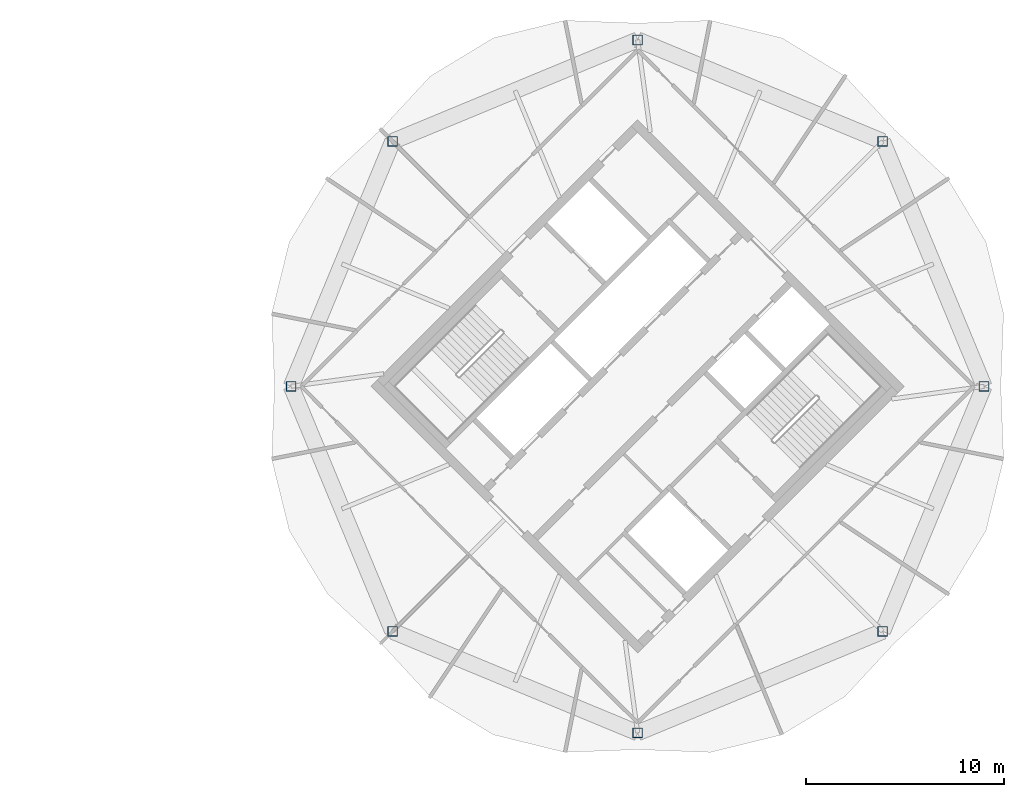
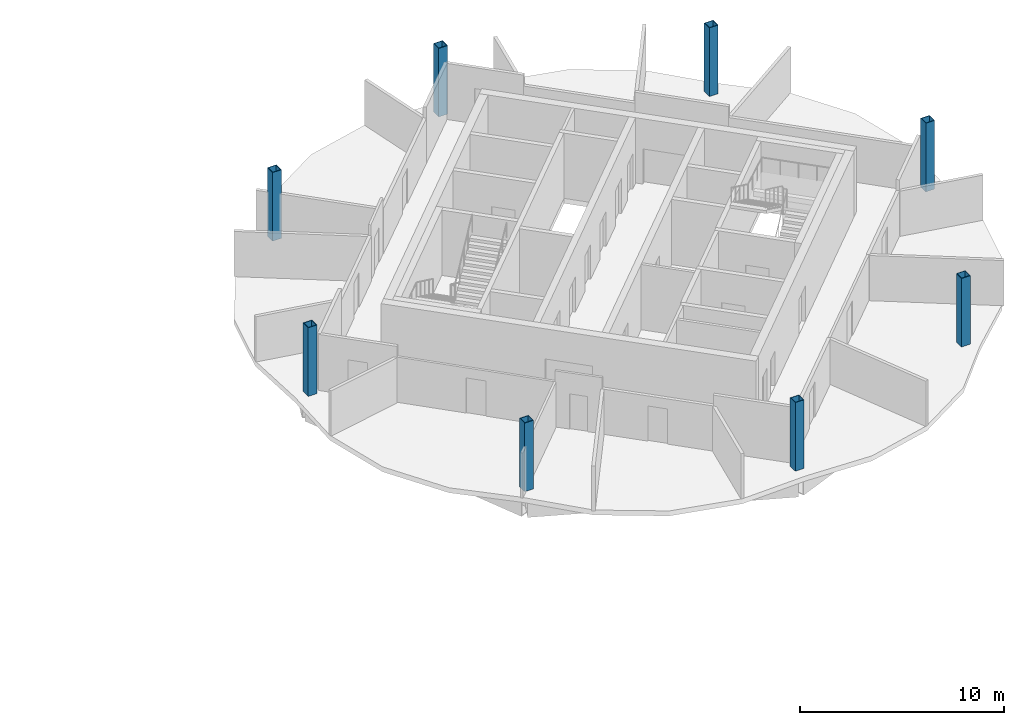
# One storey, part 2 of 11: 8 columns.
"""IFC4 building model written with IfcOpenShell, lengths in metres."""

import ifcopenshell
import ifcopenshell.guid

model = None  # the IFC model being written
_history = None  # IfcOwnerHistory: only IFC2X3 demands one
_inside = {}  # id of a spatial element -> (the spatial element, [elements in it])
_under = {}  # id of a project, library or spatial element -> (it, [spatial elements below it])
_declared = {}  # id of a project -> (the project, [libraries it declares])
_typed = {}  # id of a type object -> (the type object, [elements of that type])
_made_of = {}  # id of a material, layer set ... -> (it, [elements and type objects made of it])


def new_model(schema):
    """Start an empty IFC model of exactly this schema.

    Asked for "IFC4X3", IfcOpenShell would pick the latest addendum, in which some entities
    have other attributes; the version numbers below select the first issue.
    IFC2X3 requires an IfcOwnerHistory on every rooted entity: one is made here for all.
    """
    global model, _history
    if schema == "IFC4X3":
        model = ifcopenshell.file(schema_version=(4, 3, 0, 0))
    else:
        model = ifcopenshell.file(schema=schema)
    _inside.clear()
    _under.clear()
    _declared.clear()
    _typed.clear()
    _made_of.clear()
    _history = None
    if model.schema == "IFC2X3":
        org = make("IfcOrganization", Name="unknown")
        user = make(
            "IfcPersonAndOrganization",
            ThePerson=make("IfcPerson", FamilyName="unknown"),
            TheOrganization=org,
        )
        app = make(
            "IfcApplication",
            ApplicationDeveloper=org,
            Version="unknown",
            ApplicationFullName="unknown",
            ApplicationIdentifier="unknown",
        )
        _history = make(
            "IfcOwnerHistory",
            OwningUser=user,
            OwningApplication=app,
            ChangeAction="ADDED",
            CreationDate=0,
        )
    return model


def make(cls, **values):
    """One entity of the class cls with the attributes given. An attribute that is None is left unset."""
    return model.create_entity(
        cls, **{name: value for name, value in values.items() if value is not None}
    )


def rooted(cls, **values):
    """An entity with a GlobalId (a new one), such as an element, a storey or a relation."""
    return make(cls, GlobalId=ifcopenshell.guid.new(), OwnerHistory=_history, **values)


def si_unit(unit_type, name, prefix=None):
    """IfcSIUnit, for example si_unit("LENGTHUNIT", "METRE", prefix="MILLI")."""
    return make("IfcSIUnit", UnitType=unit_type, Prefix=prefix, Name=name)


def assignment(units):
    """IfcUnitAssignment: the units of a project."""
    return None if units is None else make("IfcUnitAssignment", Units=units)


def point(xyz):
    """IfcCartesianPoint."""
    return None if xyz is None else make("IfcCartesianPoint", Coordinates=xyz)


def direction(xyz):
    """IfcDirection."""
    return None if xyz is None else make("IfcDirection", DirectionRatios=xyz)


def frame(location, z_axis=None, x_axis=None):
    """IfcAxis2Placement3D, a coordinate frame: its origin and axes. An axis left out is left unset."""
    return make(
        "IfcAxis2Placement3D",
        Location=point(location),
        Axis=direction(z_axis),
        RefDirection=direction(x_axis),
    )


def frame_2d(location, x_axis=None):
    """IfcAxis2Placement2D, a coordinate frame in the plane: its origin and x axis."""
    return make(
        "IfcAxis2Placement2D", Location=point(location), RefDirection=direction(x_axis)
    )


def origin():
    """The frame at (0, 0, 0) with its axes left unset."""
    return frame((0.0, 0.0, 0.0))


def origin_2d():
    """The frame at (0, 0) in the plane with its x axis left unset."""
    return frame_2d((0.0, 0.0))


def place(relative_to, where):
    """IfcLocalPlacement: puts the frame where relative to a parent placement (None: the world)."""
    return make(
        "IfcLocalPlacement", PlacementRelTo=relative_to, RelativePlacement=where
    )


def context(
    kind, dimensions, precision=None, world=None, true_north=None, identifier=None
):
    """IfcGeometricRepresentationContext, for example the 3D "Model" context."""
    return make(
        "IfcGeometricRepresentationContext",
        ContextIdentifier=identifier,
        ContextType=kind,
        CoordinateSpaceDimension=dimensions,
        Precision=precision,
        WorldCoordinateSystem=world,
        TrueNorth=true_north,
    )


def subcontext(parent, identifier, kind, view, scale=None):
    """IfcGeometricRepresentationSubContext, for example "Body" below "Model"."""
    return make(
        "IfcGeometricRepresentationSubContext",
        ContextIdentifier=identifier,
        ContextType=kind,
        ParentContext=parent,
        TargetScale=scale,
        TargetView=view,
    )


def project(units=None, contexts=None):
    """IfcProject with its units and contexts."""
    return rooted(
        "IfcProject",
        Name="project",
        RepresentationContexts=contexts,
        UnitsInContext=assignment(units),
    )


def spatial(cls, under=None, at=None, **own):
    """A site, building, storey or space (cls), placed at a placement, below another one or the project."""
    s = rooted(cls, ObjectPlacement=at, **own)
    if under is not None:
        _under.setdefault(under.id(), (under, []))[1].append(s)
    return s


def profile(cls, at=None, kind="AREA", **sizes):
    """A parametric profile (cls). Its sizes go by their IFC names, for example OverallWidth=200.0."""
    return make(cls, ProfileType=kind, Position=at, **sizes)


def hollow_rectangle(**sizes):
    """IfcRectangleHollowProfileDef."""
    return profile("IfcRectangleHollowProfileDef", **sizes)


def extrude(swept, where, along, depth):
    """IfcExtrudedAreaSolid: the profile swept, set in the frame where, extruded along a direction by depth."""
    return make(
        "IfcExtrudedAreaSolid",
        SweptArea=swept,
        Position=where,
        ExtrudedDirection=direction(along),
        Depth=depth,
    )


def shape(context_of_items, identifier, shape_type, items):
    """IfcShapeRepresentation: the items that make up one representation, for example the "Body"."""
    return make(
        "IfcShapeRepresentation",
        ContextOfItems=context_of_items,
        RepresentationIdentifier=identifier,
        RepresentationType=shape_type,
        Items=items,
    )


def material(Name=None, Category=None):
    """IfcMaterial."""
    return make("IfcMaterial", Name=Name, Category=Category)


def material_profile(
    of_material, cross_section, Name=None, Category=None, Priority=None
):
    """IfcMaterialProfile: a cross section and its material."""
    return make(
        "IfcMaterialProfile",
        Name=Name,
        Material=of_material,
        Profile=cross_section,
        Priority=Priority,
        Category=Category,
    )


def profile_set(profiles, Name=None, composite=None):
    """IfcMaterialProfileSet."""
    return make(
        "IfcMaterialProfileSet",
        Name=Name,
        MaterialProfiles=profiles,
        CompositeProfile=composite,
    )


def made_of(thing, what):
    """Note that an element or type object is made of a material, layer set ...; save() writes the relation."""
    if what is not None:
        _made_of.setdefault(what.id(), (what, []))[1].append(thing)
    return thing


def type_object(cls, material=None, **own):
    """A type object (cls), such as IfcWallType, which elements share."""
    return made_of(rooted(cls, **own), material)


def element(
    cls,
    number,
    at=None,
    inside=None,
    cuts=None,
    type_object=None,
    material=None,
    context=None,
    identifier="Body",
    shape_type=None,
    held_by="IfcProductDefinitionShape",
    body=None,
    shapes=None,
    **own,
):
    """One element of the class cls, such as IfcWall. Its Tag is "e" and its number.

    at: its placement. inside: the storey or other place that contains it. cuts: it is an
    opening in that element (IfcRelVoidsElement). A single representation is given by context,
    identifier, shape_type and body (its items); several are given by shapes. held_by: the class
    of the entity that holds the representations. save() writes the other relations.
    """
    e = rooted(cls, Tag="e%d" % number, ObjectPlacement=at, **own)
    if body is not None:
        shapes = [shape(context, identifier, shape_type, body)]
    if shapes is not None:
        e.Representation = make(held_by, Representations=shapes)
    if inside is not None:
        _inside.setdefault(inside.id(), (inside, []))[1].append(e)
    if cuts is not None:
        rooted(
            "IfcRelVoidsElement", RelatingBuildingElement=cuts, RelatedOpeningElement=e
        )
    if type_object is not None:
        _typed.setdefault(type_object.id(), (type_object, []))[1].append(e)
    return made_of(e, material)


def aggregate(whole, parts):
    """IfcRelAggregates: a whole, such as a stair, and the parts it consists of."""
    return rooted("IfcRelAggregates", RelatingObject=whole, RelatedObjects=parts)


def save(model, path):
    """Write the relations noted so far, then the file.

    IfcRelAggregates (storeys below a building ...), IfcRelContainedInSpatialStructure (elements
    in a storey), IfcRelDefinesByType, IfcRelAssociatesMaterial and IfcRelDeclares: one each for
    every whole, place, type object, material and project.
    """
    for whole, parts in _under.values():
        aggregate(whole, parts)
    for where, things in _inside.values():
        rooted(
            "IfcRelContainedInSpatialStructure",
            RelatedElements=things,
            RelatingStructure=where,
        )
    for kind, things in _typed.values():
        rooted("IfcRelDefinesByType", RelatedObjects=things, RelatingType=kind)
    for what, things in _made_of.values():
        rooted("IfcRelAssociatesMaterial", RelatedObjects=things, RelatingMaterial=what)
    for by, libraries in _declared.values():
        rooted("IfcRelDeclares", RelatingContext=by, RelatedDefinitions=libraries)
    model.write(path)


model = new_model("IFC4")

# Units and contexts
model_context = context("Model", 3, precision=1e-05, world=origin(), true_north=direction((0.0, 1.0)))
body_context = subcontext(model_context, "Body", "Model", "MODEL_VIEW")
ifc_project = project(units=[si_unit("LENGTHUNIT", "METRE"), si_unit("AREAUNIT", "SQUARE_METRE"), si_unit("VOLUMEUNIT", "CUBIC_METRE"), si_unit("PLANEANGLEUNIT", "RADIAN"), si_unit("MASSUNIT", "GRAM", prefix="KILO")], contexts=[model_context])

# Site, building, storey
site_placement = place(None, origin())
site = spatial("IfcSite", under=ifc_project, at=site_placement, CompositionType="ELEMENT")
building_placement = place(site_placement, origin())
building = spatial("IfcBuilding", under=site, at=building_placement, Name="Ogive Gate Towers", CompositionType="ELEMENT")
storey_placement = place(building_placement, frame((0.0, 0.0, 289.800048828125)))
storey = spatial("IfcBuildingStorey", under=building, at=storey_placement, Name="L68", CompositionType="ELEMENT", Elevation=289.800048828125)

# Columns
ifc_material = material(Name="Steel SM460", Category="steel")
ifc_material_profile = material_profile(ifc_material, hollow_rectangle(XDim=0.5, YDim=0.5, WallThickness=0.030029296875, at=origin_2d()), Name="BX 500x500x30")
ifc_profile_set = profile_set([ifc_material_profile], Name="Steel SM460")
column_type = type_object("IfcColumnType", Name="Perimeter post BX 500x500x30", PredefinedType="COLUMN", material=ifc_profile_set)
for number, where, z_axis, x_axis, name in (
    (1, (53.455078125, 0.0, 0.0), (0.0, 0.0, 1.0), (1.0, 0.0, 0.0), "T2/L68/SCL001"),
    (2, (48.342529296875, 12.342529296875, 0.0), (0.0, 0.0, 1.0), (1.0, 0.0, 0.0), "T2/L68/SCL002"),
    (3, (36.0, 17.455078125, 0.0), (0.0, 0.0, 1.0), (1.0, 0.0, 0.0), "T2/L68/SCL003"),
    (4, (23.657470703125, 12.342529296875, 0.0), (0.0, 0.0, 1.0), (1.0, 0.0, 0.0), "T2/L68/SCL004"),
    (5, (18.544921875, 0.0, 0.0), (0.0, 0.0, 1.0), (1.0, 0.0, 0.0), "T2/L68/SCL005"),
    (6, (23.657470703125, -12.342529296875, 0.0), (0.0, 0.0, 1.0), (1.0, 0.0, 0.0), "T2/L68/SCL006"),
    (7, (36.0, -17.455078125, 0.0), (0.0, 0.0, 1.0), (1.0, 0.0, 0.0), "T2/L68/SCL007"),
    (8, (48.342529296875, -12.342529296875, 0.0), (0.0, 0.0, 1.0), (1.0, 0.0, 0.0), "T2/L68/SCL008"),
):
    element("IfcColumn", number, at=place(storey_placement, frame(where, z_axis=z_axis, x_axis=x_axis)), inside=storey, type_object=column_type, Name=name, PredefinedType="COLUMN", context=body_context, shape_type="SweptSolid", body=[
        extrude(hollow_rectangle(XDim=0.5, YDim=0.5, WallThickness=0.030029296875, at=origin_2d()), origin(), (0.0, 0.0, 1.0), 4.099853515625),
    ])

save(model, "model.ifc")
